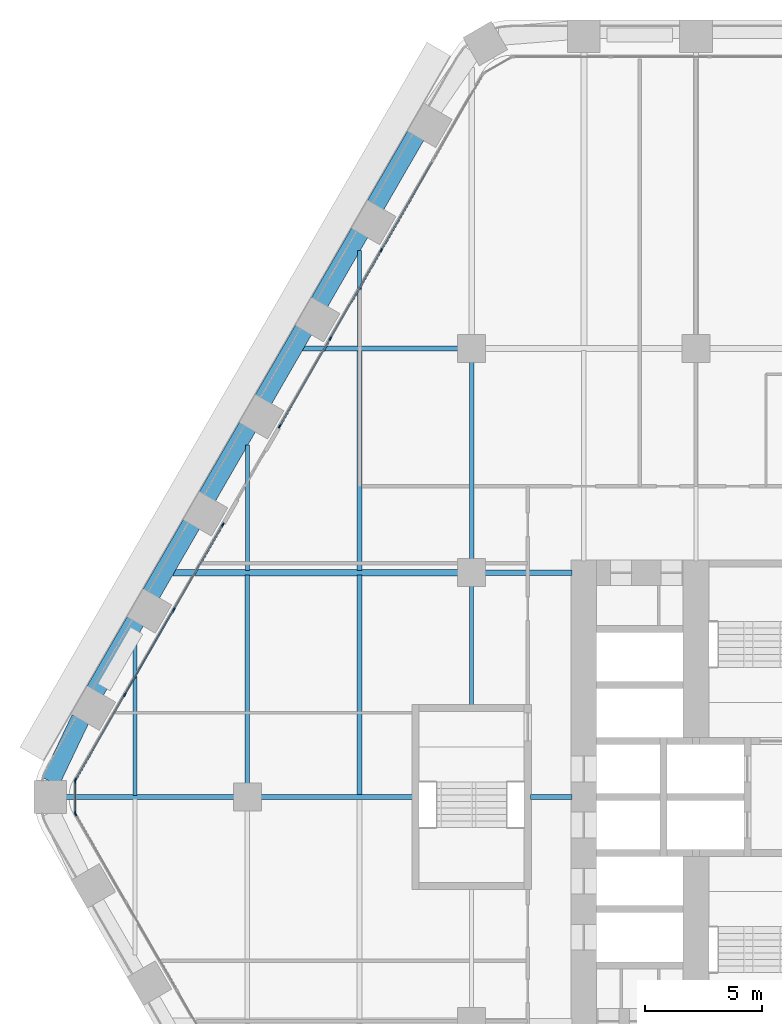
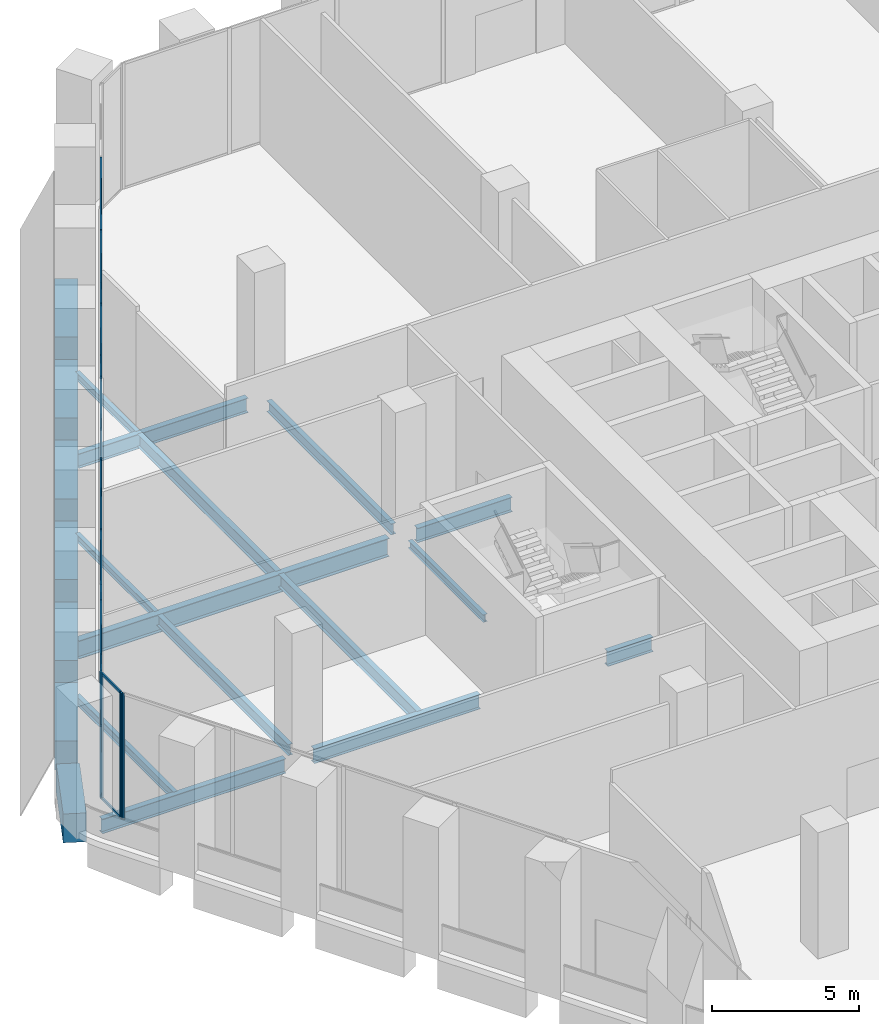
# One storey, part 7 of 27: 24 members, 21 beams, 4 elements without a shape of their own.
"""IFC4 building model written with IfcOpenShell, lengths in metres."""

from ifc_helpers import new_model, si_unit, direction, frame, origin, origin_2d, place, context, subcontext, project, spatial, rectangle, i_section, extrude, material, material_profile, profile_set, type_object, element, aggregate, save


model = new_model("IFC4")

# Units and contexts
model_context = context("Model", 3, precision=1e-05, world=origin(), true_north=direction((0.0, 1.0)))
body_context = subcontext(model_context, "Body", "Model", "MODEL_VIEW")
ifc_project = project(units=[si_unit("LENGTHUNIT", "METRE"), si_unit("AREAUNIT", "SQUARE_METRE"), si_unit("VOLUMEUNIT", "CUBIC_METRE"), si_unit("PLANEANGLEUNIT", "RADIAN"), si_unit("MASSUNIT", "GRAM", prefix="KILO")], contexts=[model_context])

# Site, building, storey
site_placement = place(None, origin())
site = spatial("IfcSite", under=ifc_project, at=site_placement, CompositionType="ELEMENT")
building_placement = place(site_placement, origin())
building = spatial("IfcBuilding", under=site, at=building_placement, Name="Kolab Exchange Tower", CompositionType="ELEMENT")
storey_placement = place(building_placement, frame((0.0, 0.0, 44.39990234375)))
storey = spatial("IfcBuildingStorey", under=building, at=storey_placement, Name="L08", CompositionType="ELEMENT", Elevation=44.39990234375)

# Beams
ifc_material_1 = material(Name="Steel S355", Category="steel")
ifc_material_profile_1 = material_profile(ifc_material_1, i_section(OverallWidth=0.1650390625, OverallDepth=0.31005859375, WebThickness=0.005859375, FlangeThickness=0.009765625, at=origin_2d()), Name="W310X39")
ifc_profile_set_1 = profile_set([ifc_material_profile_1], Name="Steel S355")
beam_type_1 = type_object("IfcBeamType", Name="FLOOR BEAM W310X39", PredefinedType="BEAM", material=ifc_profile_set_1)
beam_1_placement = place(storey_placement, frame((-28.800048828125, 9.693603515625, -0.40478515625), z_axis=(0.0, 1.0, 0.0), x_axis=(-1.0, 0.0, 0.0)))
element("IfcBeam", 1, at=beam_1_placement, inside=storey, type_object=beam_type_1, Name="beam/L08/fr/005", PredefinedType="BEAM", context=body_context, shape_type="SweptSolid", body=[
    extrude(i_section(OverallWidth=0.1650390625, OverallDepth=0.31005859375, WebThickness=0.005859375, FlangeThickness=0.009765625, at=origin_2d()), origin(), (0.0, 0.0, 1.0), 5.3740234375),
])
beam_2_placement = place(storey_placement, frame((-24.0, 19.27392578125, -0.40478515625), z_axis=(0.0, 1.0, 0.0), x_axis=(-1.0, 0.0, 0.0)))
element("IfcBeam", 2, at=beam_2_placement, inside=storey, type_object=beam_type_1, Name="beam/L08/fr/011", PredefinedType="BEAM", context=body_context, shape_type="SweptSolid", body=[
    extrude(i_section(OverallWidth=0.1650390625, OverallDepth=0.31005859375, WebThickness=0.005859375, FlangeThickness=0.009765625, at=origin_2d()), origin(), (0.0, 0.0, 1.0), 4.107666015625),
])
beam_3_placement = place(storey_placement, frame((-19.199951171875, 3.909912109375, -0.40478515625), z_axis=(0.0, 1.0, 0.0), x_axis=(-1.0, 0.0, 0.0)))
element("IfcBeam", 3, at=beam_3_placement, inside=storey, type_object=beam_type_1, Name="beam/L08/fr/015", PredefinedType="BEAM", context=body_context, shape_type="SweptSolid", body=[
    extrude(i_section(OverallWidth=0.1650390625, OverallDepth=0.31005859375, WebThickness=0.005859375, FlangeThickness=0.009765625, at=origin_2d()), origin(), (0.0, 0.0, 1.0), 5.130126953125),
])
ifc_material_profile_2 = material_profile(ifc_material_1, i_section(OverallWidth=0.1708984375, OverallDepth=0.35498046875, WebThickness=0.007080078125, FlangeThickness=0.01171875, at=origin_2d()), Name="W360X51")
ifc_profile_set_2 = profile_set([ifc_material_profile_2], Name="Steel S355")
beam_type_2 = type_object("IfcBeamType", Name="FLOOR BEAM W360X51", PredefinedType="BEAM", material=ifc_profile_set_2)
beam_4_placement = place(storey_placement, frame((-33.60009765625, 0.073974609375, -0.427490234375), z_axis=(0.0, 1.0, 0.0), x_axis=(-1.0, 0.0, 0.0)))
element("IfcBeam", 4, at=beam_4_placement, inside=storey, type_object=beam_type_2, Name="beam/L08/fr/001", PredefinedType="BEAM", context=body_context, shape_type="SweptSolid", body=[
    extrude(i_section(OverallWidth=0.1708984375, OverallDepth=0.35498046875, WebThickness=0.007080078125, FlangeThickness=0.01171875, at=origin_2d()), origin(), (0.0, 0.0, 1.0), 6.679931640625),
])
ifc_material_profile_3 = material_profile(ifc_material_1, i_section(OverallWidth=0.18994140625, OverallDepth=0.45703125, WebThickness=0.009033203125, FlangeThickness=0.014404296875, at=origin_2d()), Name="W460X74")
ifc_profile_set_3 = profile_set([ifc_material_profile_3], Name="Steel S355")
beam_type_3 = type_object("IfcBeamType", Name="FLOOR BEAM W460X74", PredefinedType="BEAM", material=ifc_profile_set_3)
beam_5_placement = place(storey_placement, frame((-28.800048828125, 0.56005859375, -0.478515625), z_axis=(0.0, 1.0, 0.0), x_axis=(-1.0, 0.0, 0.0)))
element("IfcBeam", 5, at=beam_5_placement, inside=storey, type_object=beam_type_3, Name="beam/L08/fr/004", PredefinedType="BEAM", context=body_context, shape_type="SweptSolid", body=[
    extrude(i_section(OverallWidth=0.18994140625, OverallDepth=0.45703125, WebThickness=0.009033203125, FlangeThickness=0.014404296875, at=origin_2d()), origin(), (0.0, 0.0, 1.0), 8.946533203125),
])
beam_6_placement = place(storey_placement, frame((-19.199951171875, 10.159912109375, -0.478515625), z_axis=(0.0, 1.0, 0.0), x_axis=(-1.0, 0.0, 0.0)))
element("IfcBeam", 6, at=beam_6_placement, inside=storey, type_object=beam_type_3, Name="beam/L08/fr/016", PredefinedType="BEAM", context=body_context, shape_type="SweptSolid", body=[
    extrude(i_section(OverallWidth=0.18994140625, OverallDepth=0.45703125, WebThickness=0.009033203125, FlangeThickness=0.014404296875, at=origin_2d()), origin(), (0.0, 0.0, 1.0), 8.47998046875),
])
ifc_material_profile_4 = material_profile(ifc_material_1, i_section(OverallWidth=0.208984375, OverallDepth=0.532958984375, WebThickness=0.01025390625, FlangeThickness=0.015625, at=origin_2d()), Name="W530X92")
ifc_profile_set_4 = profile_set([ifc_material_profile_4], Name="Steel S355")
beam_type_4 = type_object("IfcBeamType", Name="FLOOR BEAM W530X92", PredefinedType="BEAM", material=ifc_profile_set_4)
beam_7_placement = place(storey_placement, frame((-24.0, 0.073974609375, -0.516357421875), z_axis=(0.0, 1.0, 0.0), x_axis=(-1.0, 0.0, 0.0)))
element("IfcBeam", 7, at=beam_7_placement, inside=storey, type_object=beam_type_4, Name="beam/L08/fr/009", PredefinedType="BEAM", context=body_context, shape_type="SweptSolid", body=[
    extrude(i_section(OverallWidth=0.208984375, OverallDepth=0.532958984375, WebThickness=0.01025390625, FlangeThickness=0.015625, at=origin_2d()), origin(), (0.0, 0.0, 1.0), 9.4326171875),
])
beam_8_placement = place(storey_placement, frame((-24.0, 9.693603515625, -0.516357421875), z_axis=(0.0, 1.0, 0.0), x_axis=(-1.0, 0.0, 0.0)))
element("IfcBeam", 8, at=beam_8_placement, inside=storey, type_object=beam_type_4, Name="beam/L08/fr/010", PredefinedType="BEAM", context=body_context, shape_type="SweptSolid", body=[
    extrude(i_section(OverallWidth=0.208984375, OverallDepth=0.532958984375, WebThickness=0.01025390625, FlangeThickness=0.015625, at=origin_2d()), origin(), (0.0, 0.0, 1.0), 9.432373046875),
])
ifc_material_profile_5 = material_profile(ifc_material_1, i_section(OverallWidth=0.22802734375, OverallDepth=0.60791015625, WebThickness=0.01123046875, FlangeThickness=0.017333984375, at=origin_2d()), Name="W610X113")
ifc_profile_set_5 = profile_set([ifc_material_profile_5], Name="Steel S355")
beam_type_5 = type_object("IfcBeamType", Name="FLOOR GIRDER W610X113", PredefinedType="BEAM", material=ifc_profile_set_5)
beam_9_placement = place(storey_placement, frame((-36.575927734375, 0.0, -0.553955078125), z_axis=(1.0, 0.0, 0.0), x_axis=(0.0, 1.0, 0.0)))
element("IfcBeam", 9, at=beam_9_placement, inside=storey, type_object=beam_type_5, Name="beam/L08/gd/000", PredefinedType="BEAM", context=body_context, shape_type="SweptSolid", body=[
    extrude(i_section(OverallWidth=0.22802734375, OverallDepth=0.60791015625, WebThickness=0.01123046875, FlangeThickness=0.017333984375, at=origin_2d()), origin(), (0.0, 0.0, 1.0), 7.2158203125),
])
beam_10_placement = place(storey_placement, frame((-28.239990234375, 0.0, -0.553955078125), z_axis=(1.0, 0.0, 0.0), x_axis=(0.0, 1.0, 0.0)))
element("IfcBeam", 10, at=beam_10_placement, inside=storey, type_object=beam_type_5, Name="beam/L08/gd/003", PredefinedType="BEAM", context=body_context, shape_type="SweptSolid", body=[
    extrude(i_section(OverallWidth=0.22802734375, OverallDepth=0.60791015625, WebThickness=0.01123046875, FlangeThickness=0.017333984375, at=origin_2d()), origin(), (0.0, 0.0, 1.0), 6.530029296875),
])
beam_11_placement = place(storey_placement, frame((-26.43115234375, 19.199951171875, -0.553955078125), z_axis=(1.0, 0.0, 0.0), x_axis=(0.0, 1.0, 0.0)))
element("IfcBeam", 11, at=beam_11_placement, inside=storey, type_object=beam_type_5, Name="beam/L08/gd/005", PredefinedType="BEAM", context=body_context, shape_type="SweptSolid", body=[
    extrude(i_section(OverallWidth=0.22802734375, OverallDepth=0.60791015625, WebThickness=0.01123046875, FlangeThickness=0.017333984375, at=origin_2d()), origin(), (0.0, 0.0, 1.0), 6.671142578125),
])
beam_12_placement = place(storey_placement, frame((-18.639892578125, 9.60009765625, -0.553955078125), z_axis=(1.0, 0.0, 0.0), x_axis=(0.0, 1.0, 0.0)))
element("IfcBeam", 12, at=beam_12_placement, inside=storey, type_object=beam_type_5, Name="beam/L08/gd/008", PredefinedType="BEAM", context=body_context, shape_type="SweptSolid", body=[
    extrude(i_section(OverallWidth=0.22802734375, OverallDepth=0.60791015625, WebThickness=0.01123046875, FlangeThickness=0.017333984375, at=origin_2d()), origin(), (0.0, 0.0, 1.0), 3.72998046875),
])
beam_13_placement = place(storey_placement, frame((-16.68994140625, 0.0, -0.553955078125), z_axis=(1.0, 0.0, 0.0), x_axis=(0.0, 1.0, 0.0)))
element("IfcBeam", 13, at=beam_13_placement, inside=storey, type_object=beam_type_5, Name="beam/L08/gd/010", PredefinedType="BEAM", context=body_context, shape_type="SweptSolid", body=[
    extrude(i_section(OverallWidth=0.22802734375, OverallDepth=0.60791015625, WebThickness=0.01123046875, FlangeThickness=0.017333984375, at=origin_2d()), origin(), (0.0, 0.0, 1.0), 1.780029296875),
])
ifc_material_profile_6 = material_profile(ifc_material_1, i_section(OverallWidth=0.26708984375, OverallDepth=0.761962890625, WebThickness=0.014404296875, FlangeThickness=0.021484375, at=origin_2d()), Name="W760X173")
ifc_profile_set_6 = profile_set([ifc_material_profile_6], Name="Steel S355")
beam_type_6 = type_object("IfcBeamType", Name="FLOOR GIRDER W760X173", PredefinedType="BEAM", material=ifc_profile_set_6)
beam_14_placement = place(storey_placement, frame((-31.9736328125, 9.60009765625, -0.630859375), z_axis=(1.0, 0.0, 0.0), x_axis=(0.0, 1.0, 0.0)))
element("IfcBeam", 14, at=beam_14_placement, inside=storey, type_object=beam_type_6, Name="beam/L08/gd/002", PredefinedType="BEAM", context=body_context, shape_type="SweptSolid", body=[
    extrude(i_section(OverallWidth=0.26708984375, OverallDepth=0.761962890625, WebThickness=0.014404296875, FlangeThickness=0.021484375, at=origin_2d()), origin(), (0.0, 0.0, 1.0), 12.213623046875),
])
ifc_material_2 = material(Name="Concrete C80/95", Category="concrete")
ifc_material_profile_7 = material_profile(ifc_material_2, rectangle(XDim=0.800048828125, YDim=1.199951171875, at=origin_2d()), Name="RC800X1200")
ifc_profile_set_7 = profile_set([ifc_material_profile_7], Name="Concrete C80/95")
beam_type_7 = type_object("IfcBeamType", Name="SPANDREL BEAM 800X1200 C80/95", PredefinedType="BEAM", material=ifc_profile_set_7)
beam_15_placement = place(storey_placement, frame((-37.219970703125, 0.663818359375, -0.849853515625), z_axis=(0.429555669245, 0.903040379507, 0.0), x_axis=(-0.903040379507, 0.429555669245, 0.0)))
element("IfcBeam", 15, at=beam_15_placement, inside=storey, type_object=beam_type_7, Name="beam/L08/sp/F6-01", PredefinedType="BEAM", context=body_context, shape_type="SweptSolid", body=[
    extrude(rectangle(XDim=0.800048828125, YDim=1.199951171875, at=origin_2d()), origin(), (0.0, 0.0, 1.0), 2.984375),
])
beam_16_placement = place(storey_placement, frame((-35.323486328125, 4.528564453125, -0.849853515625), z_axis=(0.500009906705, 0.86601968407, 0.0), x_axis=(-0.86601968407, 0.500009906705, 0.0)))
element("IfcBeam", 16, at=beam_16_placement, inside=storey, type_object=beam_type_7, Name="beam/L08/sp/F6-02", PredefinedType="BEAM", context=body_context, shape_type="SweptSolid", body=[
    extrude(rectangle(XDim=0.800048828125, YDim=1.199951171875, at=origin_2d()), origin(), (0.0, 0.0, 1.0), 3.47998046875),
])
for number, where, z_axis, x_axis, name in (
    (17, (-32.923583984375, 8.685302734375, -0.849853515625), (0.499979528911, 0.866037222451, 0.0), (-0.866037222451, 0.499979528911, 0.0), "beam/L08/sp/F6-03"),
    (18, (-30.523681640625, 12.84228515625, -0.849853515625), (0.499979528911, 0.866037222451, 0.0), (-0.866037222451, 0.499979528911, 0.0), "beam/L08/sp/F6-04"),
):
    element("IfcBeam", number, at=place(storey_placement, frame(where, z_axis=z_axis, x_axis=x_axis)), inside=storey, type_object=beam_type_7, Name=name, PredefinedType="BEAM", context=body_context, shape_type="SweptSolid", body=[
        extrude(rectangle(XDim=0.800048828125, YDim=1.199951171875, at=origin_2d()), origin(), (0.0, 0.0, 1.0), 3.480224609375),
    ])
for number, where, z_axis, x_axis, name in (
    (19, (-28.12353515625, 16.999267578125, -0.849853515625), (0.500009906705, 0.86601968407, 0.0), (-0.86601968407, 0.500009906705, 0.0), "beam/L08/sp/F6-05"),
    (20, (-25.7236328125, 21.15625, -0.849853515625), (0.500009906705, 0.86601968407, 0.0), (-0.86601968407, 0.500009906705, 0.0), "beam/L08/sp/F6-06"),
):
    element("IfcBeam", number, at=place(storey_placement, frame(where, z_axis=z_axis, x_axis=x_axis)), inside=storey, type_object=beam_type_7, Name=name, PredefinedType="BEAM", context=body_context, shape_type="SweptSolid", body=[
        extrude(rectangle(XDim=0.800048828125, YDim=1.199951171875, at=origin_2d()), origin(), (0.0, 0.0, 1.0), 3.47998046875),
    ])
beam_17_placement = place(storey_placement, frame((-23.323486328125, 25.31298828125, -0.849853515625), z_axis=(0.499979528911, 0.866037222451, 0.0), x_axis=(-0.866037222451, 0.499979528911, 0.0)))
element("IfcBeam", 21, at=beam_17_placement, inside=storey, type_object=beam_type_7, Name="beam/L08/sp/F6-07", PredefinedType="BEAM", context=body_context, shape_type="SweptSolid", body=[
    extrude(rectangle(XDim=0.800048828125, YDim=1.199951171875, at=origin_2d()), origin(), (0.0, 0.0, 1.0), 3.480224609375),
])

# Curtain wall, member
ifc_material_3 = material(Name="Aluminium EN AW-6063 T6", Category="aluminium")
curtain_wall_type = type_object("IfcCurtainWallType", Name="UNITISED LOW ZONE CURTAIN WALL", PredefinedType="NOTDEFINED", material=ifc_material_3)
curtain_wall_1_placement = place(storey_placement, origin())
curtain_wall_1 = element("IfcCurtainWall", 22, at=curtain_wall_1_placement, inside=storey, type_object=curtain_wall_type, Name="cw/L08/F5-2", PredefinedType="NOTDEFINED")
ifc_material_profile_8 = material_profile(ifc_material_3, rectangle(XDim=0.06005859375, YDim=0.159912109375, at=origin_2d()), Name="RECT 60X160")
ifc_profile_set_8 = profile_set([ifc_material_profile_8], Name="Aluminium EN AW-6063 T6")
member_type_1 = type_object("IfcMemberType", Name="UNITISED LOW ZONE MULLION 60 X 160", PredefinedType="MULLION", material=ifc_profile_set_8)
member_1_placement = place(storey_placement, frame((-36.150634765625, -0.736083984375, 0.0), z_axis=(0.0, 0.0, 1.0), x_axis=(-0.866025422102, -0.499999968274, 0.0)))
member_1 = element("IfcMember", 23, at=member_1_placement, type_object=member_type_1, Name="CW1 mullion 5", PredefinedType="MULLION", context=body_context, shape_type="SweptSolid", body=[
    extrude(rectangle(XDim=0.06005859375, YDim=0.159912109375, at=origin_2d()), origin(), (0.0, 0.0, 1.0), 5.25),
])
aggregate(curtain_wall_1, [member_1])

# Curtain wall, members
curtain_wall_2_placement = place(storey_placement, origin())
curtain_wall_2 = element("IfcCurtainWall", 24, at=curtain_wall_2_placement, inside=storey, type_object=curtain_wall_type, Name="cw/L08/F6-1", PredefinedType="NOTDEFINED")
member_2_placement = place(storey_placement, frame((-36.150634765625, 0.736083984375, 0.0), z_axis=(0.0, 0.0, 1.0), x_axis=(-0.866025427826, 0.499999958358, 0.0)))
member_2 = element("IfcMember", 25, at=member_2_placement, type_object=member_type_1, Name="CW1 mullion 1", PredefinedType="MULLION", context=body_context, shape_type="SweptSolid", body=[
    extrude(rectangle(XDim=0.06005859375, YDim=0.159912109375, at=origin_2d()), origin(), (0.0, 0.0, 1.0), 5.25),
])
member_3_placement = place(storey_placement, frame((-34.054443359375, 4.366943359375, 0.0), z_axis=(0.0, 0.0, 1.0), x_axis=(-0.866025427826, 0.499999958358, 0.0)))
member_3 = element("IfcMember", 26, at=member_3_placement, type_object=member_type_1, Name="CW1 mullion 2", PredefinedType="MULLION", context=body_context, shape_type="SweptSolid", body=[
    extrude(rectangle(XDim=0.06005859375, YDim=0.159912109375, at=origin_2d()), origin(), (0.0, 0.0, 1.0), 5.25),
])
member_4_placement = place(storey_placement, frame((-31.943115234375, 8.02392578125, 0.0), z_axis=(0.0, 0.0, 1.0), x_axis=(-0.866025427826, 0.499999958358, 0.0)))
member_4 = element("IfcMember", 27, at=member_4_placement, type_object=member_type_1, Name="CW1 mullion 3", PredefinedType="MULLION", context=body_context, shape_type="SweptSolid", body=[
    extrude(rectangle(XDim=0.06005859375, YDim=0.159912109375, at=origin_2d()), origin(), (0.0, 0.0, 1.0), 5.25),
])
member_5_placement = place(storey_placement, frame((-29.8466796875, 11.65478515625, 0.0), z_axis=(0.0, 0.0, 1.0), x_axis=(-0.866025427826, 0.499999958358, 0.0)))
member_5 = element("IfcMember", 28, at=member_5_placement, type_object=member_type_1, Name="CW1 mullion 4", PredefinedType="MULLION", context=body_context, shape_type="SweptSolid", body=[
    extrude(rectangle(XDim=0.06005859375, YDim=0.159912109375, at=origin_2d()), origin(), (0.0, 0.0, 1.0), 5.25),
])

curtain_wall_3_placement = place(storey_placement, origin())
curtain_wall_3 = element("IfcCurtainWall", 29, at=curtain_wall_3_placement, inside=storey, type_object=curtain_wall_type, Name="cw/L08/F6-2", PredefinedType="NOTDEFINED")
member_6_placement = place(storey_placement, frame((-27.416748046875, 15.86376953125, 0.0), z_axis=(0.0, 0.0, 1.0), x_axis=(-0.866025397318, 0.5000000112, 0.0)))
member_6 = element("IfcMember", 30, at=member_6_placement, type_object=member_type_1, Name="CW1 mullion 1", PredefinedType="MULLION", context=body_context, shape_type="SweptSolid", body=[
    extrude(rectangle(XDim=0.06005859375, YDim=0.159912109375, at=origin_2d()), origin(), (0.0, 0.0, 1.0), 5.25),
])
member_7_placement = place(storey_placement, frame((-25.248291015625, 19.61962890625, 0.0), z_axis=(0.0, 0.0, 1.0), x_axis=(-0.866025397318, 0.5000000112, 0.0)))
member_7 = element("IfcMember", 31, at=member_7_placement, type_object=member_type_1, Name="CW1 mullion 2", PredefinedType="MULLION", context=body_context, shape_type="SweptSolid", body=[
    extrude(rectangle(XDim=0.06005859375, YDim=0.159912109375, at=origin_2d()), origin(), (0.0, 0.0, 1.0), 5.25),
])
member_8_placement = place(storey_placement, frame((-23.064697265625, 23.401611328125, 0.0), z_axis=(0.0, 0.0, 1.0), x_axis=(-0.866025397318, 0.5000000112, 0.0)))
member_8 = element("IfcMember", 32, at=member_8_placement, type_object=member_type_1, Name="CW1 mullion 3", PredefinedType="MULLION", context=body_context, shape_type="SweptSolid", body=[
    extrude(rectangle(XDim=0.06005859375, YDim=0.159912109375, at=origin_2d()), origin(), (0.0, 0.0, 1.0), 5.25),
])

curtain_wall_4_placement = place(storey_placement, origin())
curtain_wall_4 = element("IfcCurtainWall", 33, at=curtain_wall_4_placement, inside=storey, type_object=curtain_wall_type, Name="cw/L08/F5F6-corner", PredefinedType="NOTDEFINED")
member_9_placement = place(storey_placement, frame((-36.165771484375, -0.679931640625, 0.0), z_axis=(0.0, 0.0, 1.0), x_axis=(-1.0, 0.0, 0.0)))
member_9 = element("IfcMember", 34, at=member_9_placement, type_object=member_type_1, Name="CW1 mullion 1", PredefinedType="MULLION", context=body_context, shape_type="SweptSolid", body=[
    extrude(rectangle(XDim=0.06005859375, YDim=0.159912109375, at=origin_2d()), origin(), (0.0, 0.0, 1.0), 5.25),
])
member_10_placement = place(storey_placement, frame((-36.165771484375, 0.679931640625, 0.0), z_axis=(0.0, 0.0, 1.0), x_axis=(-1.0, 0.0, 0.0)))
member_10 = element("IfcMember", 35, at=member_10_placement, type_object=member_type_1, Name="CW1 mullion 2", PredefinedType="MULLION", context=body_context, shape_type="SweptSolid", body=[
    extrude(rectangle(XDim=0.06005859375, YDim=0.159912109375, at=origin_2d()), origin(), (0.0, 0.0, 1.0), 5.25),
])

# Member
ifc_material_profile_9 = material_profile(ifc_material_3, rectangle(XDim=0.06005859375, YDim=0.10009765625, at=origin_2d()), Name="RECT 60X100")
ifc_profile_set_9 = profile_set([ifc_material_profile_9], Name="Aluminium EN AW-6063 T6")
member_type_2 = type_object("IfcMemberType", Name="UNITISED LOW ZONE TRANSOM 60 X 100", PredefinedType="USERDEFINED", material=ifc_profile_set_9)
member_11_placement = place(storey_placement, frame((-36.1357421875, 0.761962890625, 0.030029296875), z_axis=(0.500027577057, 0.866009481578, 0.0), x_axis=(-0.866009481578, 0.500027577057, 0.0)))
member_11 = element("IfcMember", 36, at=member_11_placement, type_object=member_type_2, Name="CW1 transom 1.1", ObjectType="TRANSOM", PredefinedType="USERDEFINED", context=body_context, shape_type="SweptSolid", body=[
    extrude(rectangle(XDim=0.06005859375, YDim=0.10009765625, at=origin_2d()), origin(), (0.0, 0.0, 1.0), 4.132568359375),
])

member_12_placement = place(storey_placement, frame((-36.1357421875, 0.761962890625, 5.22021484375), z_axis=(0.500027577057, 0.866009481578, 0.0), x_axis=(-0.866009481578, 0.500027577057, 0.0)))
member_12 = element("IfcMember", 37, at=member_12_placement, type_object=member_type_2, Name="CW1 transom 1.2", ObjectType="TRANSOM", PredefinedType="USERDEFINED", context=body_context, shape_type="SweptSolid", body=[
    extrude(rectangle(XDim=0.06005859375, YDim=0.10009765625, at=origin_2d()), origin(), (0.0, 0.0, 1.0), 4.132568359375),
])

member_13_placement = place(storey_placement, frame((-34.039306640625, 4.392822265625, 0.030029296875), z_axis=(0.49999322259, 0.866029316688, 0.0), x_axis=(-0.866029316688, 0.49999322259, 0.0)))
member_13 = element("IfcMember", 38, at=member_13_placement, type_object=member_type_2, Name="CW1 transom 2.1", ObjectType="TRANSOM", PredefinedType="USERDEFINED", context=body_context, shape_type="SweptSolid", body=[
    extrude(rectangle(XDim=0.06005859375, YDim=0.10009765625, at=origin_2d()), origin(), (0.0, 0.0, 1.0), 4.16259765625),
])

member_14_placement = place(storey_placement, frame((-34.039306640625, 4.392822265625, 5.22021484375), z_axis=(0.49999322259, 0.866029316688, 0.0), x_axis=(-0.866029316688, 0.49999322259, 0.0)))
member_14 = element("IfcMember", 39, at=member_14_placement, type_object=member_type_2, Name="CW1 transom 2.2", ObjectType="TRANSOM", PredefinedType="USERDEFINED", context=body_context, shape_type="SweptSolid", body=[
    extrude(rectangle(XDim=0.06005859375, YDim=0.10009765625, at=origin_2d()), origin(), (0.0, 0.0, 1.0), 4.16259765625),
])

member_15_placement = place(storey_placement, frame((-31.927978515625, 8.0498046875, 0.030029296875), z_axis=(0.500001996123, 0.866024251319, 0.0), x_axis=(-0.866024251319, 0.500001996123, 0.0)))
member_15 = element("IfcMember", 40, at=member_15_placement, type_object=member_type_2, Name="CW1 transom 3.1", ObjectType="TRANSOM", PredefinedType="USERDEFINED", context=body_context, shape_type="SweptSolid", body=[
    extrude(rectangle(XDim=0.06005859375, YDim=0.10009765625, at=origin_2d()), origin(), (0.0, 0.0, 1.0), 4.1328125),
])

member_16_placement = place(storey_placement, frame((-31.927978515625, 8.0498046875, 5.22021484375), z_axis=(0.500001996123, 0.866024251319, 0.0), x_axis=(-0.866024251319, 0.500001996123, 0.0)))
member_16 = element("IfcMember", 41, at=member_16_placement, type_object=member_type_2, Name="CW1 transom 3.2", ObjectType="TRANSOM", PredefinedType="USERDEFINED", context=body_context, shape_type="SweptSolid", body=[
    extrude(rectangle(XDim=0.06005859375, YDim=0.10009765625, at=origin_2d()), origin(), (0.0, 0.0, 1.0), 4.1328125),
])

aggregate(curtain_wall_2, [member_2, member_3, member_4, member_5, member_11, member_12, member_13, member_14, member_15, member_16])

member_17_placement = place(storey_placement, frame((-27.401611328125, 15.8896484375, 0.030029296875), z_axis=(0.499976099074, 0.866039202551, 0.0), x_axis=(-0.866039202551, 0.499976099074, 0.0)))
member_17 = element("IfcMember", 42, at=member_17_placement, type_object=member_type_2, Name="CW1 transom 1.1", ObjectType="TRANSOM", PredefinedType="USERDEFINED", context=body_context, shape_type="SweptSolid", body=[
    extrude(rectangle(XDim=0.06005859375, YDim=0.10009765625, at=origin_2d()), origin(), (0.0, 0.0, 1.0), 4.277099609375),
])

member_18_placement = place(storey_placement, frame((-27.401611328125, 15.8896484375, 5.22021484375), z_axis=(0.499976099074, 0.866039202551, 0.0), x_axis=(-0.866039202551, 0.499976099074, 0.0)))
member_18 = element("IfcMember", 43, at=member_18_placement, type_object=member_type_2, Name="CW1 transom 1.2", ObjectType="TRANSOM", PredefinedType="USERDEFINED", context=body_context, shape_type="SweptSolid", body=[
    extrude(rectangle(XDim=0.06005859375, YDim=0.10009765625, at=origin_2d()), origin(), (0.0, 0.0, 1.0), 4.277099609375),
])

member_19_placement = place(storey_placement, frame((-25.233154296875, 19.6455078125, 0.030029296875), z_axis=(0.500010313095, 0.866019449435, 0.0), x_axis=(-0.866019449435, 0.500010313095, 0.0)))
member_19 = element("IfcMember", 44, at=member_19_placement, type_object=member_type_2, Name="CW1 transom 2.1", ObjectType="TRANSOM", PredefinedType="USERDEFINED", context=body_context, shape_type="SweptSolid", body=[
    extrude(rectangle(XDim=0.06005859375, YDim=0.10009765625, at=origin_2d()), origin(), (0.0, 0.0, 1.0), 4.30712890625),
])

member_20_placement = place(storey_placement, frame((-25.233154296875, 19.6455078125, 5.22021484375), z_axis=(0.500010313095, 0.866019449435, 0.0), x_axis=(-0.866019449435, 0.500010313095, 0.0)))
member_20 = element("IfcMember", 45, at=member_20_placement, type_object=member_type_2, Name="CW1 transom 2.2", ObjectType="TRANSOM", PredefinedType="USERDEFINED", context=body_context, shape_type="SweptSolid", body=[
    extrude(rectangle(XDim=0.06005859375, YDim=0.10009765625, at=origin_2d()), origin(), (0.0, 0.0, 1.0), 4.30712890625),
])

member_21_placement = place(storey_placement, frame((-23.0498046875, 23.427490234375, 0.030029296875), z_axis=(0.500010313095, 0.866019449435, 0.0), x_axis=(-0.866019449435, 0.500010313095, 0.0)))
member_21 = element("IfcMember", 46, at=member_21_placement, type_object=member_type_2, Name="CW1 transom 3.1", ObjectType="TRANSOM", PredefinedType="USERDEFINED", context=body_context, shape_type="SweptSolid", body=[
    extrude(rectangle(XDim=0.06005859375, YDim=0.10009765625, at=origin_2d()), origin(), (0.0, 0.0, 1.0), 4.30712890625),
])

member_22_placement = place(storey_placement, frame((-23.0498046875, 23.427490234375, 5.22021484375), z_axis=(0.500010313095, 0.866019449435, 0.0), x_axis=(-0.866019449435, 0.500010313095, 0.0)))
member_22 = element("IfcMember", 47, at=member_22_placement, type_object=member_type_2, Name="CW1 transom 3.2", ObjectType="TRANSOM", PredefinedType="USERDEFINED", context=body_context, shape_type="SweptSolid", body=[
    extrude(rectangle(XDim=0.06005859375, YDim=0.10009765625, at=origin_2d()), origin(), (0.0, 0.0, 1.0), 4.30712890625),
])

aggregate(curtain_wall_3, [member_6, member_7, member_8, member_17, member_18, member_19, member_20, member_21, member_22])

member_23_placement = place(storey_placement, frame((-36.165771484375, -0.64990234375, 0.030029296875), z_axis=(0.0, 1.0, 0.0), x_axis=(-1.0, 0.0, 0.0)))
member_23 = element("IfcMember", 48, at=member_23_placement, type_object=member_type_2, Name="CW1 transom 1.1", ObjectType="TRANSOM", PredefinedType="USERDEFINED", context=body_context, shape_type="SweptSolid", body=[
    extrude(rectangle(XDim=0.06005859375, YDim=0.10009765625, at=origin_2d()), origin(), (0.0, 0.0, 1.0), 1.2998046875),
])

member_24_placement = place(storey_placement, frame((-36.165771484375, -0.64990234375, 5.22021484375), z_axis=(0.0, 1.0, 0.0), x_axis=(-1.0, 0.0, 0.0)))
member_24 = element("IfcMember", 49, at=member_24_placement, type_object=member_type_2, Name="CW1 transom 1.2", ObjectType="TRANSOM", PredefinedType="USERDEFINED", context=body_context, shape_type="SweptSolid", body=[
    extrude(rectangle(XDim=0.06005859375, YDim=0.10009765625, at=origin_2d()), origin(), (0.0, 0.0, 1.0), 1.2998046875),
])

aggregate(curtain_wall_4, [member_9, member_10, member_23, member_24])

save(model, "model.ifc")
